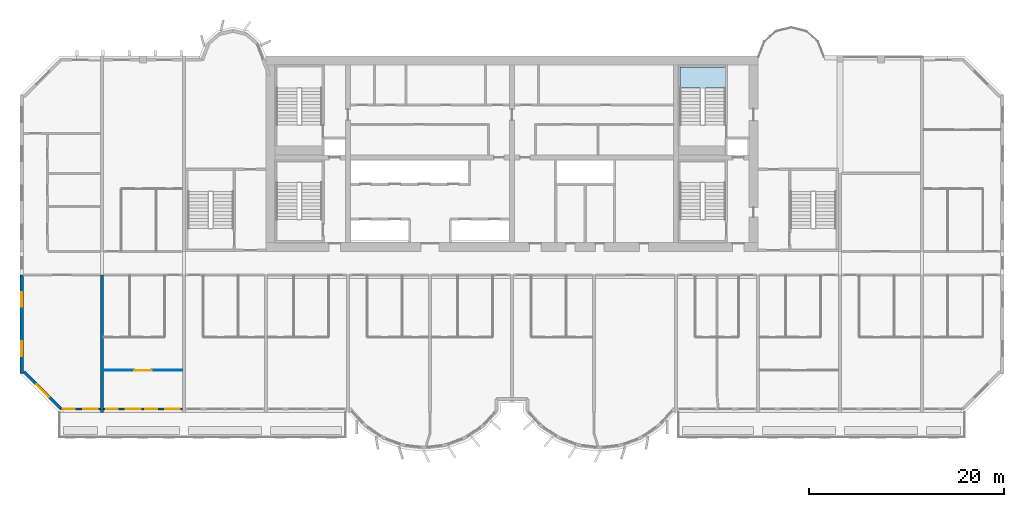
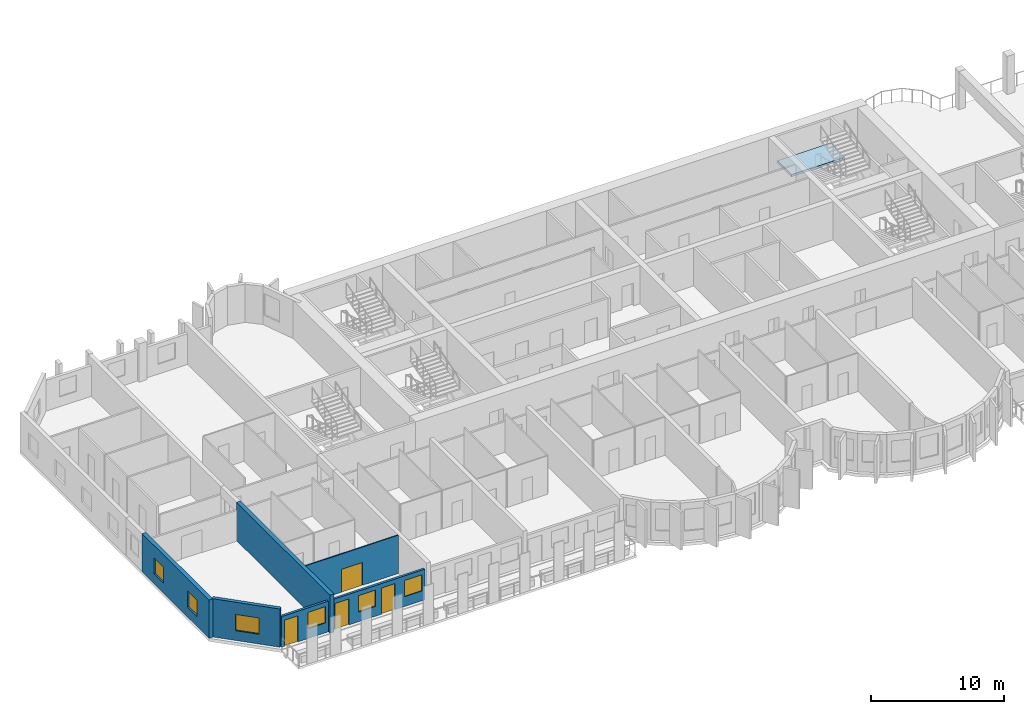
# One storey, part 2 of 14: 6 walls, 6 windows, 4 doors, 1 slab, 10 openings, 1 element without a shape of its own.
"""IFC4 building model written with IfcOpenShell, lengths in metres."""

from ifc_helpers import new_model, si_unit, direction, frame, frame_2d, origin, place, context, subcontext, project, spatial, polyline, rectangle, outline, extrude, source, transform, mapped, material, layer, layer_set, type_object, element, fill, aggregate, save


model = new_model("IFC4")

# Units and contexts
model_context = context("Model", 3, precision=1e-05, world=origin(), true_north=direction((0.0, 1.0)))
body_context = subcontext(model_context, "Body", "Model", "MODEL_VIEW")
ifc_project = project(units=[si_unit("LENGTHUNIT", "METRE"), si_unit("AREAUNIT", "SQUARE_METRE"), si_unit("VOLUMEUNIT", "CUBIC_METRE"), si_unit("PLANEANGLEUNIT", "RADIAN"), si_unit("MASSUNIT", "GRAM", prefix="KILO")], contexts=[model_context])

# Site, building, storey
site_placement = place(None, origin())
site = spatial("IfcSite", under=ifc_project, at=site_placement, CompositionType="ELEMENT")
building_placement = place(site_placement, origin())
building = spatial("IfcBuilding", under=site, at=building_placement, Name="Vanashikhar Sky Hotel", CompositionType="ELEMENT")
storey_placement = place(building_placement, frame((0.0, 0.0, 121.800048828125)))
storey = spatial("IfcBuildingStorey", under=building, at=storey_placement, Name="L29", CompositionType="ELEMENT", Elevation=121.800048828125)

# Stair, slab
ifc_material_1 = material(Name="Concrete M40", Category="concrete")
stair_type = type_object("IfcStairType", Name="Exit stair 2150", PredefinedType="DOUBLE_RETURN_STAIR", material=ifc_material_1)
stair_placement = place(storey_placement, origin())
stair = element("IfcStair", 1, at=stair_placement, inside=storey, type_object=stair_type, Name="L29 Exit stair 6", PredefinedType="DOUBLE_RETURN_STAIR")
ifc_layer_1 = layer(ifc_material_1, 0.199951171875)
ifc_layer_set_1 = layer_set([ifc_layer_1], Name="Stair landing 200")
slab_type = type_object("IfcSlabType", Name="Stair landing 200", PredefinedType="LANDING", material=ifc_layer_set_1)
shared_shape_1 = source(origin(), body_context, "Body", "SweptSolid", [
    extrude(outline(polyline([(72.25, 38.75), (72.25, 40.89990234375), (67.60009765625, 40.89990234375), (67.60009765625, 38.75), (72.25, 38.75)])), origin(), (0.0, 0.0, 1.0), 0.199951171875),
])
slab_placement = place(storey_placement, frame((0.0, 0.0, 1.066650390625)))
slab = element("IfcSlab", 2, at=slab_placement, type_object=slab_type, Name="ST-C4 landing 1", PredefinedType="LANDING", context=body_context, shape_type="MappedRepresentation", body=[
    mapped(shared_shape_1, transform((0.0, 0.0, 0.0), scale=1.0)),
])
aggregate(stair, [slab])

# Wall, openings, windows
ifc_material_2 = material(Name="Concrete M70", Category="concrete")
ifc_layer_2 = layer(ifc_material_2, 0.35009765625)
ifc_layer_set_2 = layer_set([ifc_layer_2], Name="RC shear wall 350 Concrete M70")
wall_type_1 = type_object("IfcWallType", Name="RC shear wall 350 Concrete M70", PredefinedType="SHEAR", material=ifc_layer_set_2)
shared_shape_2 = source(origin(), body_context, "Body", "SweptSolid", [
    extrude(rectangle(XDim=10.10009765625, YDim=0.35009765625, at=frame_2d((5.050048828125, 0.0))), origin(), (0.0, 0.0, 1.0), 3.52001953125),
])
wall_1_placement = place(storey_placement, frame((0.175048828125, 9.5, 0.0), z_axis=(0.0, 0.0, 1.0), x_axis=(0.0, 1.0, 0.0)))
wall_1 = element("IfcWall", 3, at=wall_1_placement, inside=storey, type_object=wall_type_1, Name="CW-L29-XW01-1", PredefinedType="SHEAR", context=body_context, shape_type="MappedRepresentation", body=[
    mapped(shared_shape_2, transform((0.0, 0.0, 0.0), scale=1.0)),
])
shared_shape_3 = source(origin(), body_context, "Body", "SweptSolid", [
    extrude(rectangle(XDim=1.5, YDim=1.5, at=frame_2d((0.75, 0.75))), frame((0.0, 0.18505859375, 0.0), z_axis=(0.0, -1.0, 0.0), x_axis=(1.0, 0.0, 0.0)), (0.0, 0.0, 1.0), 0.3701171875),
])
opening_1_placement = place(wall_1_placement, frame((1.77490234375, 0.0, 0.89990234375)))
opening_1 = element("IfcOpeningElement", 4, at=opening_1_placement, cuts=wall_1, Name="Opening WN-1", PredefinedType="OPENING", context=body_context, shape_type="MappedRepresentation", body=[
    mapped(shared_shape_3, transform((0.0, 0.0, 0.0), scale=1.0)),
])
opening_2_placement = place(wall_1_placement, frame((6.824951171875, 0.0, 0.89990234375)))
opening_2 = element("IfcOpeningElement", 5, at=opening_2_placement, cuts=wall_1, Name="Opening WN-1", PredefinedType="OPENING", context=body_context, shape_type="MappedRepresentation", body=[
    mapped(shared_shape_3, transform((0.0, 0.0, 0.0), scale=1.0)),
])
ifc_material_3 = material(Name="Glass", Category="glass")
window_type_1 = type_object("IfcWindowType", Name="Window 1500 x 1500", PartitioningType="SINGLE_PANEL", PredefinedType="WINDOW", material=ifc_material_3)
shared_shape_4 = source(origin(), body_context, "Body", "SweptSolid", [
    extrude(rectangle(XDim=1.5, YDim=1.5, at=frame_2d((0.75, 0.75))), frame((0.0, 0.030029296875, 0.0), z_axis=(0.0, -1.0, 0.0), x_axis=(1.0, 0.0, 0.0)), (0.0, 0.0, 1.0), 0.06005859375),
])
window_1_placement = place(opening_1_placement, origin())
window_1 = element("IfcWindow", 6, at=window_1_placement, inside=storey, type_object=window_type_1, Name="Window WN-1", OverallHeight=1.5, OverallWidth=1.5, PartitioningType="SINGLE_PANEL", PredefinedType="WINDOW", context=body_context, shape_type="MappedRepresentation", body=[
    mapped(shared_shape_4, transform((0.0, 0.0, 0.0), scale=1.0)),
])
fill(opening_1, window_1)
window_2_placement = place(opening_2_placement, origin())
window_2 = element("IfcWindow", 7, at=window_2_placement, inside=storey, type_object=window_type_1, Name="Window WN-1", OverallHeight=1.5, OverallWidth=1.5, PartitioningType="SINGLE_PANEL", PredefinedType="WINDOW", context=body_context, shape_type="MappedRepresentation", body=[
    mapped(shared_shape_4, transform((0.0, 0.0, 0.0), scale=1.0)),
])
fill(opening_2, window_2)

# Wall
shared_shape_5 = source(origin(), body_context, "Body", "SweptSolid", [
    extrude(rectangle(XDim=14.10009765625, YDim=0.35009765625, at=frame_2d((7.050048828125, 0.0))), origin(), (0.0, 0.0, 1.0), 3.52001953125),
])
wall_2_placement = place(storey_placement, frame((8.39990234375, 5.5, 0.0), z_axis=(0.0, 0.0, 1.0), x_axis=(0.0, 1.0, 0.0)))
element("IfcWall", 8, at=wall_2_placement, inside=storey, type_object=wall_type_1, Name="CW-L29-XW02-1", PredefinedType="SHEAR", context=body_context, shape_type="MappedRepresentation", body=[
    mapped(shared_shape_5, transform((0.0, 0.0, 0.0), scale=1.0)),
])

# Wall, opening, window
ifc_material_4 = material(Name="Concrete M50", Category="concrete")
ifc_layer_3 = layer(ifc_material_4, 0.300048828125)
ifc_layer_set_3 = layer_set([ifc_layer_3], Name="Lobe wall 300")
wall_type_2 = type_object("IfcWallType", Name="Lobe wall 300", PredefinedType="SOLIDWALL", material=ifc_layer_set_3)
shared_shape_6 = source(origin(), body_context, "Body", "SweptSolid", [
    extrude(rectangle(XDim=5.32568359375, YDim=0.300048828125, at=frame_2d((2.662841796875, 0.0))), origin(), (0.0, 0.0, 1.0), 3.52001953125),
])
wall_3_placement = place(storey_placement, frame((0.39990234375, 9.665771484375, 0.0), z_axis=(0.0, 0.0, 1.0), x_axis=(0.707106781187, -0.707106781187, 0.0)))
wall_3 = element("IfcWall", 9, at=wall_3_placement, inside=storey, type_object=wall_type_2, Name="Corner wall", PredefinedType="SOLIDWALL", context=body_context, shape_type="MappedRepresentation", body=[
    mapped(shared_shape_6, transform((0.0, 0.0, 0.0), scale=1.0)),
])
shared_shape_7 = source(origin(), body_context, "Body", "SweptSolid", [
    extrude(rectangle(XDim=1.800048828125, YDim=1.5, at=frame_2d((0.89990234375, 0.75))), frame((0.0, 0.16015625, 0.0), z_axis=(0.0, -1.0, 0.0), x_axis=(1.0, 0.0, 0.0)), (0.0, 0.0, 1.0), 0.320068359375),
])
opening_3_placement = place(wall_3_placement, frame((1.853759765625, 0.0, 0.89990234375)))
opening_3 = element("IfcOpeningElement", 10, at=opening_3_placement, cuts=wall_3, Name="Opening WN-4", PredefinedType="OPENING", context=body_context, shape_type="MappedRepresentation", body=[
    mapped(shared_shape_7, transform((0.0, 0.0, 0.0), scale=1.0)),
])
window_type_2 = type_object("IfcWindowType", Name="Corner window 1800 x 1500", PartitioningType="SINGLE_PANEL", PredefinedType="WINDOW", material=ifc_material_3)
shared_shape_8 = source(origin(), body_context, "Body", "SweptSolid", [
    extrude(rectangle(XDim=1.800048828125, YDim=1.5, at=frame_2d((0.89990234375, 0.75))), frame((0.0, 0.030029296875, 0.0), z_axis=(0.0, -1.0, 0.0), x_axis=(1.0, 0.0, 0.0)), (0.0, 0.0, 1.0), 0.06005859375),
])
window_3_placement = place(opening_3_placement, origin())
window_3 = element("IfcWindow", 11, at=window_3_placement, inside=storey, type_object=window_type_2, Name="Window WN-4", OverallHeight=1.5, OverallWidth=1.800048828125, PartitioningType="SINGLE_PANEL", PredefinedType="WINDOW", context=body_context, shape_type="MappedRepresentation", body=[
    mapped(shared_shape_8, transform((0.0, 0.0, 0.0), scale=1.0)),
])
fill(opening_3, window_3)

# Wall, openings, window, door
ifc_layer_4 = layer(ifc_material_4, 0.199951171875)
ifc_layer_set_4 = layer_set([ifc_layer_4], Name="Front window wall 200")
wall_type_3 = type_object("IfcWallType", Name="Front window wall 200", PredefinedType="SOLIDWALL", material=ifc_layer_set_4)
shared_shape_9 = source(origin(), body_context, "Body", "SweptSolid", [
    extrude(rectangle(XDim=4.080078125, YDim=0.199951171875, at=frame_2d((2.0400390625, 0.0))), origin(), (0.0, 0.0, 1.0), 2.820068359375),
])
wall_4_placement = place(storey_placement, frame((4.14501953125, 5.85009765625, 0.0), z_axis=(0.0, 0.0, 1.0), x_axis=(1.0, 0.0, 0.0)))
wall_4 = element("IfcWall", 12, at=wall_4_placement, inside=storey, type_object=wall_type_3, Name="Front window wall", PredefinedType="SOLIDWALL", context=body_context, shape_type="MappedRepresentation", body=[
    mapped(shared_shape_9, transform((0.0, 0.0, 0.0), scale=1.0)),
])
shared_shape_10 = source(origin(), body_context, "Body", "SweptSolid", [
    extrude(rectangle(XDim=1.199951171875, YDim=2.39990234375, at=frame_2d((0.60009765625, 1.199951171875))), frame((0.0, 0.10986328125, 0.0), z_axis=(0.0, -1.0, 0.0), x_axis=(1.0, 0.0, 0.0)), (0.0, 0.0, 1.0), 0.219970703125),
])
opening_4_placement = place(wall_4_placement, frame((0.25, 0.0, 0.0)))
opening_4 = element("IfcOpeningElement", 13, at=opening_4_placement, cuts=wall_4, Name="Opening BD-01", PredefinedType="OPENING", context=body_context, shape_type="MappedRepresentation", body=[
    mapped(shared_shape_10, transform((0.0, 0.0, 0.0), scale=1.0)),
])
shared_shape_11 = source(origin(), body_context, "Body", "SweptSolid", [
    extrude(rectangle(XDim=1.5, YDim=1.5, at=frame_2d((0.75, 0.75))), frame((0.0, 0.10986328125, 0.0), z_axis=(0.0, -1.0, 0.0), x_axis=(1.0, 0.0, 0.0)), (0.0, 0.0, 1.0), 0.219970703125),
])
opening_5_placement = place(wall_4_placement, frame((2.330078125, 0.0, 0.89990234375)))
opening_5 = element("IfcOpeningElement", 14, at=opening_5_placement, cuts=wall_4, Name="Opening WN-1", PredefinedType="OPENING", context=body_context, shape_type="MappedRepresentation", body=[
    mapped(shared_shape_11, transform((0.0, 0.0, 0.0), scale=1.0)),
])
window_4_placement = place(opening_5_placement, origin())
window_4 = element("IfcWindow", 15, at=window_4_placement, inside=storey, type_object=window_type_1, Name="Window WN-1", OverallHeight=1.5, OverallWidth=1.5, PartitioningType="SINGLE_PANEL", PredefinedType="WINDOW", context=body_context, shape_type="MappedRepresentation", body=[
    mapped(shared_shape_4, transform((0.0, 0.0, 0.0), scale=1.0)),
])
fill(opening_5, window_4)
ifc_material_5 = material(Name="Aluminium", Category="aluminium")
door_type_1 = type_object("IfcDoorType", Name="Balcony sliding door 1200 x 2400", OperationType="NOTDEFINED", PredefinedType="DOOR", material=ifc_material_5)
shared_shape_12 = source(origin(), body_context, "Body", "SweptSolid", [
    extrude(rectangle(XDim=1.199951171875, YDim=2.39990234375, at=frame_2d((0.60009765625, 1.199951171875))), frame((0.0, 0.02490234375, 0.0), z_axis=(0.0, -1.0, 0.0), x_axis=(1.0, 0.0, 0.0)), (0.0, 0.0, 1.0), 0.050048828125),
])
door_1_placement = place(opening_4_placement, origin())
door_1 = element("IfcDoor", 16, at=door_1_placement, inside=storey, type_object=door_type_1, Name="Balcony sliding door", OperationType="SLIDING_TO_LEFT", OverallHeight=2.39990234375, OverallWidth=1.199951171875, PredefinedType="DOOR", context=body_context, shape_type="MappedRepresentation", body=[
    mapped(shared_shape_12, transform((0.0, 0.0, 0.0), scale=1.0)),
])
fill(opening_4, door_1)

# Wall, openings, windows, doors
shared_shape_13 = source(origin(), body_context, "Body", "SweptSolid", [
    extrude(rectangle(XDim=8.050048828125, YDim=0.199951171875, at=frame_2d((4.02490234375, 0.0))), origin(), (0.0, 0.0, 1.0), 2.820068359375),
])
wall_5_placement = place(storey_placement, frame((8.574951171875, 5.85009765625, 0.0), z_axis=(0.0, 0.0, 1.0), x_axis=(1.0, 0.0, 0.0)))
wall_5 = element("IfcWall", 17, at=wall_5_placement, inside=storey, type_object=wall_type_3, Name="Front window wall", PredefinedType="SOLIDWALL", context=body_context, shape_type="MappedRepresentation", body=[
    mapped(shared_shape_13, transform((0.0, 0.0, 0.0), scale=1.0)),
])
opening_6_placement = place(wall_5_placement, frame((0.25, 0.0, 0.0)))
opening_6 = element("IfcOpeningElement", 18, at=opening_6_placement, cuts=wall_5, Name="Opening BD-02", PredefinedType="OPENING", context=body_context, shape_type="MappedRepresentation", body=[
    mapped(shared_shape_10, transform((0.0, 0.0, 0.0), scale=1.0)),
])
opening_7_placement = place(wall_5_placement, frame((2.27490234375, 0.0, 0.89990234375)))
opening_7 = element("IfcOpeningElement", 19, at=opening_7_placement, cuts=wall_5, Name="Opening WN-1", PredefinedType="OPENING", context=body_context, shape_type="MappedRepresentation", body=[
    mapped(shared_shape_11, transform((0.0, 0.0, 0.0), scale=1.0)),
])
opening_8_placement = place(wall_5_placement, frame((4.27490234375, 0.0, 0.0)))
opening_8 = element("IfcOpeningElement", 20, at=opening_8_placement, cuts=wall_5, Name="Opening BD-03", PredefinedType="OPENING", context=body_context, shape_type="MappedRepresentation", body=[
    mapped(shared_shape_10, transform((0.0, 0.0, 0.0), scale=1.0)),
])
opening_9_placement = place(wall_5_placement, frame((6.300048828125, 0.0, 0.89990234375)))
opening_9 = element("IfcOpeningElement", 21, at=opening_9_placement, cuts=wall_5, Name="Opening WN-1", PredefinedType="OPENING", context=body_context, shape_type="MappedRepresentation", body=[
    mapped(shared_shape_11, transform((0.0, 0.0, 0.0), scale=1.0)),
])
window_5_placement = place(opening_7_placement, origin())
window_5 = element("IfcWindow", 22, at=window_5_placement, inside=storey, type_object=window_type_1, Name="Window WN-1", OverallHeight=1.5, OverallWidth=1.5, PartitioningType="SINGLE_PANEL", PredefinedType="WINDOW", context=body_context, shape_type="MappedRepresentation", body=[
    mapped(shared_shape_4, transform((0.0, 0.0, 0.0), scale=1.0)),
])
fill(opening_7, window_5)
window_6_placement = place(opening_9_placement, origin())
window_6 = element("IfcWindow", 23, at=window_6_placement, inside=storey, type_object=window_type_1, Name="Window WN-1", OverallHeight=1.5, OverallWidth=1.5, PartitioningType="SINGLE_PANEL", PredefinedType="WINDOW", context=body_context, shape_type="MappedRepresentation", body=[
    mapped(shared_shape_4, transform((0.0, 0.0, 0.0), scale=1.0)),
])
fill(opening_9, window_6)
door_2_placement = place(opening_6_placement, origin())
door_2 = element("IfcDoor", 24, at=door_2_placement, inside=storey, type_object=door_type_1, Name="Balcony sliding door", OperationType="SLIDING_TO_RIGHT", OverallHeight=2.39990234375, OverallWidth=1.199951171875, PredefinedType="DOOR", context=body_context, shape_type="MappedRepresentation", body=[
    mapped(shared_shape_12, transform((0.0, 0.0, 0.0), scale=1.0)),
])
fill(opening_6, door_2)
door_3_placement = place(opening_8_placement, origin())
door_3 = element("IfcDoor", 25, at=door_3_placement, inside=storey, type_object=door_type_1, Name="Balcony sliding door", OperationType="SLIDING_TO_LEFT", OverallHeight=2.39990234375, OverallWidth=1.199951171875, PredefinedType="DOOR", context=body_context, shape_type="MappedRepresentation", body=[
    mapped(shared_shape_12, transform((0.0, 0.0, 0.0), scale=1.0)),
])
fill(opening_8, door_3)

# Wall, opening, door
ifc_material_6 = material(Name="Gypsum plasterboard partition")
ifc_layer_5 = layer(ifc_material_6, 0.10009765625)
ifc_layer_set_5 = layer_set([ifc_layer_5], Name="Wet room partition 100")
wall_type_4 = type_object("IfcWallType", Name="Wet room partition 100", PredefinedType="PARTITIONING", material=ifc_layer_set_5)
shared_shape_14 = source(origin(), body_context, "Body", "SweptSolid", [
    extrude(rectangle(XDim=8.050048828125, YDim=0.10009765625, at=frame_2d((4.02490234375, 0.0))), origin(), (0.0, 0.0, 1.0), 3.52001953125),
])
wall_6_placement = place(storey_placement, frame((8.574951171875, 9.802001953125, 0.0), z_axis=(0.0, 0.0, 1.0), x_axis=(1.0, 0.0, 0.0)))
wall_6 = element("IfcWall", 26, at=wall_6_placement, inside=storey, type_object=wall_type_4, Name="W-L29-PW006", PredefinedType="PARTITIONING", context=body_context, shape_type="MappedRepresentation", body=[
    mapped(shared_shape_14, transform((0.0, 0.0, 0.0), scale=1.0)),
])
shared_shape_15 = source(origin(), body_context, "Body", "SweptSolid", [
    extrude(rectangle(XDim=1.800048828125, YDim=2.10009765625, at=frame_2d((0.89990234375, 1.050048828125))), frame((0.0, 0.06005859375, 0.0), z_axis=(0.0, -1.0, 0.0), x_axis=(1.0, 0.0, 0.0)), (0.0, 0.0, 1.0), 0.1201171875),
])
opening_10_placement = place(wall_6_placement, frame((3.125, 0.0, 0.0)))
opening_10 = element("IfcOpeningElement", 27, at=opening_10_placement, cuts=wall_6, Name="Opening D-08", PredefinedType="OPENING", context=body_context, shape_type="MappedRepresentation", body=[
    mapped(shared_shape_15, transform((0.0, 0.0, 0.0), scale=1.0)),
])
ifc_material_7 = material(Name="Timber door", Category="wood")
door_type_2 = type_object("IfcDoorType", Name="Double leaf door 1800", OperationType="NOTDEFINED", PredefinedType="DOOR", material=ifc_material_7)
shared_shape_16 = source(origin(), body_context, "Body", "SweptSolid", [
    extrude(rectangle(XDim=1.800048828125, YDim=2.10009765625, at=frame_2d((0.89990234375, 1.050048828125))), frame((0.0, 0.02490234375, 0.0), z_axis=(0.0, -1.0, 0.0), x_axis=(1.0, 0.0, 0.0)), (0.0, 0.0, 1.0), 0.050048828125),
])
door_4_placement = place(opening_10_placement, origin())
door_4 = element("IfcDoor", 28, at=door_4_placement, inside=storey, type_object=door_type_2, Name="D-L29-004", OperationType="DOUBLE_DOOR_SINGLE_SWING", OverallHeight=2.10009765625, OverallWidth=1.800048828125, PredefinedType="DOOR", context=body_context, shape_type="MappedRepresentation", body=[
    mapped(shared_shape_16, transform((0.0, 0.0, 0.0), scale=1.0)),
])
fill(opening_10, door_4)

save(model, "model.ifc")
